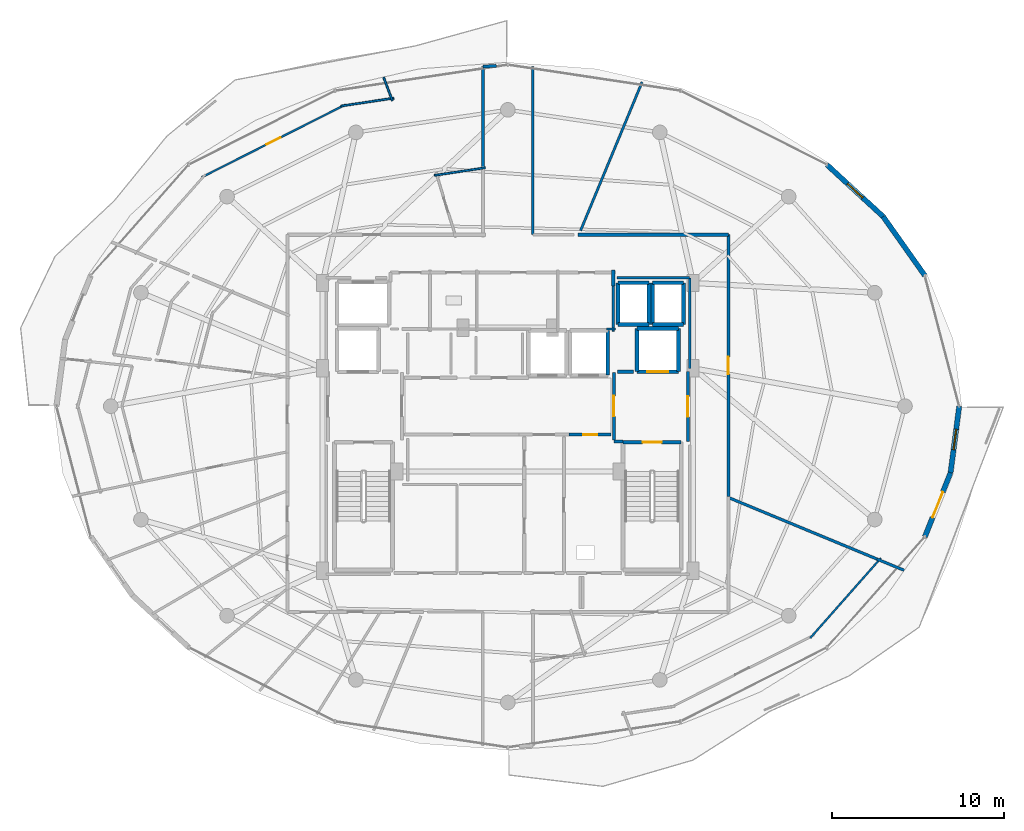
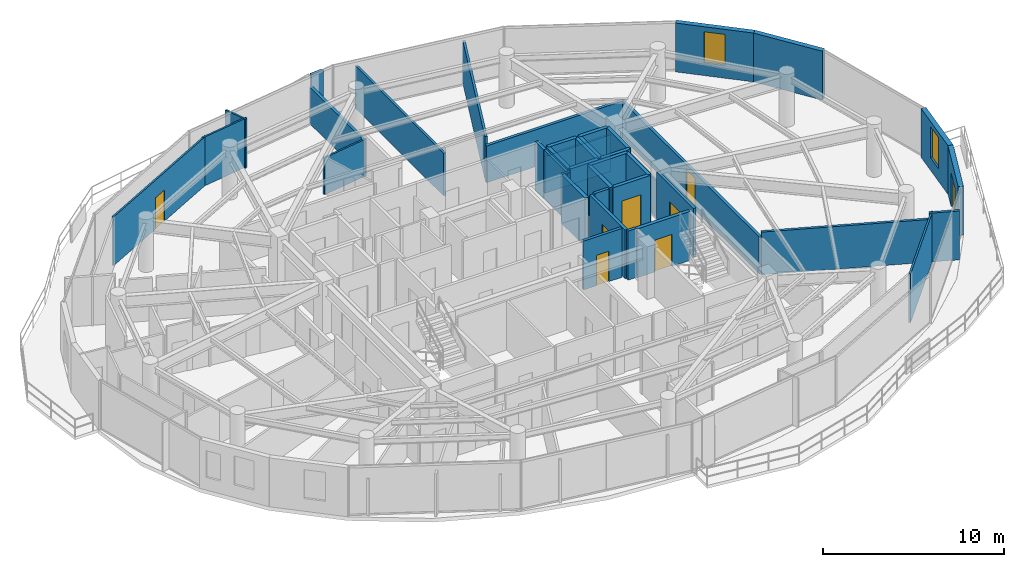
# One storey, part 25 of 30: 41 walls, 8 doors, 2 windows, 10 openings.
"""IFC4 building model written with IfcOpenShell, lengths in metres."""

from ifc_helpers import new_model, si_unit, direction, frame, frame_2d, origin, place, context, subcontext, project, spatial, rectangle, extrude, material, layer, layer_set, type_object, element, fill, save


model = new_model("IFC4")

# Units and contexts
model_context = context("Model", 3, precision=1e-05, world=origin(), true_north=direction((0.0, 1.0)))
body_context = subcontext(model_context, "Body", "Model", "MODEL_VIEW")
ifc_project = project(units=[si_unit("LENGTHUNIT", "METRE"), si_unit("AREAUNIT", "SQUARE_METRE"), si_unit("VOLUMEUNIT", "CUBIC_METRE"), si_unit("PLANEANGLEUNIT", "RADIAN"), si_unit("MASSUNIT", "GRAM", prefix="KILO")], contexts=[model_context])

# Site, building, storey
site_placement = place(None, origin())
site = spatial("IfcSite", under=ifc_project, at=site_placement, CompositionType="ELEMENT")
building_placement = place(site_placement, origin())
building = spatial("IfcBuilding", under=site, at=building_placement, Name="Vorneva Point Tower", CompositionType="ELEMENT")
storey_placement = place(building_placement, frame((0.0, 0.0, 234.25)))
storey = spatial("IfcBuildingStorey", under=building, at=storey_placement, Name="L63", CompositionType="ELEMENT", Elevation=234.25)

# Wall, opening, door
ifc_material_1 = material(Name="Concrete B60 (C50/60)", Category="concrete")
ifc_layer_1 = layer(ifc_material_1, 0.35009765625)
ifc_layer_set_1 = layer_set([ifc_layer_1], Name="Concrete B60 (C50/60)")
wall_type_1 = type_object("IfcWallType", Name="WL-CORE-350", PredefinedType="SHEAR", material=ifc_layer_set_1)
wall_1_placement = place(storey_placement, frame((45.5, 28.0, 0.0), z_axis=(0.0, 0.0, 1.0), x_axis=(1.0, 0.0, 0.0)))
wall_1 = element("IfcWall", 1, at=wall_1_placement, inside=storey, type_object=wall_type_1, Name="L63 Lift FFL2 Shaft Wall -Y", PredefinedType="SHEAR", context=body_context, shape_type="SweptSolid", body=[
    extrude(rectangle(XDim=2.39990234375, YDim=0.219970703125, at=frame_2d((1.199951171875, 0.0))), origin(), (0.0, 0.0, 1.0), 3.2900390625),
])
opening_1_placement = place(wall_1_placement, frame((0.60009765625, 0.0, 0.0)))
opening_1 = element("IfcOpeningElement", 2, at=opening_1_placement, cuts=wall_1, Name="Opening LD-02", PredefinedType="OPENING", context=body_context, shape_type="SweptSolid", body=[
    extrude(rectangle(XDim=1.199951171875, YDim=2.199951171875, at=frame_2d((0.60009765625, 1.10009765625))), frame((0.0, 0.125, 0.0), z_axis=(0.0, -1.0, 0.0), x_axis=(1.0, 0.0, 0.0)), (0.0, 0.0, 1.0), 0.249755859375),
])
ifc_material_2 = material(Name="Brushed stainless steel S304", Category="steel")
door_type_1 = type_object("IfcDoorType", Name="LD-FIRE-1200", OperationType="SLIDING_TO_LEFT", PredefinedType="DOOR", material=ifc_material_2)
door_1_placement = place(opening_1_placement, origin())
door_1 = element("IfcDoor", 3, at=door_1_placement, inside=storey, type_object=door_type_1, Name="L63 Lift FFL2 Sliding Landing Door", OperationType="SLIDING_TO_LEFT", OverallHeight=2.199951171875, OverallWidth=1.199951171875, PredefinedType="DOOR", context=body_context, shape_type="SweptSolid", body=[
    extrude(rectangle(XDim=1.199951171875, YDim=2.199951171875, at=frame_2d((0.60009765625, 1.10009765625))), frame((0.0, 0.02490234375, 0.0), z_axis=(0.0, -1.0, 0.0), x_axis=(1.0, 0.0, 0.0)), (0.0, 0.0, 1.0), 0.050048828125),
])
fill(opening_1, door_1)

# Walls
wall_2_placement = place(storey_placement, frame((47.89990234375, 28.0, 0.0), z_axis=(0.0, 0.0, 1.0), x_axis=(0.0, 1.0, 0.0)))
element("IfcWall", 4, at=wall_2_placement, inside=storey, type_object=wall_type_1, Name="L63 Lift FFL2 Shaft Wall +X", PredefinedType="SHEAR", context=body_context, shape_type="SweptSolid", body=[
    extrude(rectangle(XDim=2.5, YDim=0.219970703125, at=frame_2d((1.25, 0.0))), origin(), (0.0, 0.0, 1.0), 3.2900390625),
])
wall_3_placement = place(storey_placement, frame((47.89990234375, 30.5, 0.0), z_axis=(0.0, 0.0, 1.0), x_axis=(-1.0, 0.0, 0.0)))
element("IfcWall", 5, at=wall_3_placement, inside=storey, type_object=wall_type_1, Name="L63 Lift FFL2 Shaft Wall +Y", PredefinedType="SHEAR", context=body_context, shape_type="SweptSolid", body=[
    extrude(rectangle(XDim=2.39990234375, YDim=0.219970703125, at=frame_2d((1.199951171875, 0.0))), origin(), (0.0, 0.0, 1.0), 3.2900390625),
])
wall_4_placement = place(storey_placement, frame((45.5, 30.5, 0.0), z_axis=(0.0, 0.0, 1.0), x_axis=(0.0, -1.0, 0.0)))
element("IfcWall", 6, at=wall_4_placement, inside=storey, type_object=wall_type_1, Name="L63 Lift FFL2 Shaft Wall -X", PredefinedType="SHEAR", context=body_context, shape_type="SweptSolid", body=[
    extrude(rectangle(XDim=2.5, YDim=0.219970703125, at=frame_2d((1.25, 0.0))), origin(), (0.0, 0.0, 1.0), 3.2900390625),
])
ifc_material_3 = material(Name="Precast concrete B50 (C40/50)", Category="concrete")
ifc_layer_2 = layer(ifc_material_3, 0.300048828125)
ifc_layer_set_2 = layer_set([ifc_layer_2], Name="Precast concrete B50 (C40/50)")
wall_type_2 = type_object("IfcWallType", Name="WL-EXT-300", PredefinedType="STANDARD", material=ifc_layer_set_2)
wall_5_placement = place(storey_placement, frame((62.20556640625, 33.5810546875, 0.0), z_axis=(0.0, 0.0, 1.0), x_axis=(-0.577261247247, 0.816559521668, 0.0)))
element("IfcWall", 7, at=wall_5_placement, inside=storey, type_object=wall_type_2, Name="L63 Pale-Metal Facade Spandrel Wall 02.1", PredefinedType="STANDARD", context=body_context, shape_type="SweptSolid", body=[
    extrude(rectangle(XDim=4.194091796875, YDim=0.300048828125, at=frame_2d((2.09716796875, 0.0))), origin(), (0.0, 0.0, 1.0), 3.2900390625),
])

# Wall, opening, window
wall_6_placement = place(storey_placement, frame((59.784423828125, 37.005859375, 0.0), z_axis=(0.0, 0.0, 1.0), x_axis=(-0.735445373611, 0.677584018727, 0.0)))
wall_6 = element("IfcWall", 8, at=wall_6_placement, inside=storey, type_object=wall_type_2, Name="L63 Pale-Metal Facade Spandrel Wall 02.2", PredefinedType="STANDARD", context=body_context, shape_type="SweptSolid", body=[
    extrude(rectangle(XDim=4.430419921875, YDim=0.300048828125, at=frame_2d((2.21533203125, 0.0))), origin(), (0.0, 0.0, 1.0), 3.2900390625),
])
opening_2_placement = place(wall_6_placement, frame((1.615234375, 0.0, 0.85009765625)))
opening_2 = element("IfcOpeningElement", 9, at=opening_2_placement, cuts=wall_6, Name="Opening W-04", PredefinedType="OPENING", context=body_context, shape_type="SweptSolid", body=[
    extrude(rectangle(XDim=1.199951171875, YDim=2.10009765625, at=frame_2d((0.60009765625, 1.050048828125))), frame((0.0, 0.1650390625, 0.0), z_axis=(0.0, -1.0, 0.0), x_axis=(1.0, 0.0, 0.0)), (0.0, 0.0, 1.0), 0.329833984375),
])
ifc_material_4 = material(Name="Double low-e laminated glass IGU", Category="glass")
window_type = type_object("IfcWindowType", Name="WN-RES-1200", PartitioningType="SINGLE_PANEL", PredefinedType="WINDOW", material=ifc_material_4)
window_1_placement = place(opening_2_placement, origin())
window_1 = element("IfcWindow", 10, at=window_1_placement, inside=storey, type_object=window_type, Name="L63 Facade Window 02", OverallHeight=2.10009765625, OverallWidth=1.199951171875, PartitioningType="SINGLE_PANEL", PredefinedType="WINDOW", context=body_context, shape_type="SweptSolid", body=[
    extrude(rectangle(XDim=1.199951171875, YDim=2.10009765625, at=frame_2d((0.60009765625, 1.050048828125))), frame((0.0, 0.030029296875, 0.0), z_axis=(0.0, -1.0, 0.0), x_axis=(1.0, 0.0, 0.0)), (0.0, 0.0, 1.0), 0.06005859375),
])
fill(opening_2, window_1)

# Wall, opening, door
wall_7_placement = place(storey_placement, frame((62.20556640625, 18.4189453125, 0.0), z_axis=(0.0, 0.0, 1.0), x_axis=(0.37234708598, 0.928093555393, 0.0)))
wall_7 = element("IfcWall", 11, at=wall_7_placement, inside=storey, type_object=wall_type_2, Name="L63 Pale-Metal Facade Spandrel Wall 16.1", PredefinedType="STANDARD", context=body_context, shape_type="SweptSolid", body=[
    extrude(rectangle(XDim=4.004150390625, YDim=0.300048828125, at=frame_2d((2.001953125, 0.0))), origin(), (0.0, 0.0, 1.0), 3.2900390625),
])
opening_3_placement = place(wall_7_placement, frame((1.2021484375, 0.0, 0.0)))
opening_3 = element("IfcOpeningElement", 12, at=opening_3_placement, cuts=wall_7, Name="Opening BD-01", PredefinedType="OPENING", context=body_context, shape_type="SweptSolid", body=[
    extrude(rectangle(XDim=1.60009765625, YDim=2.300048828125, at=frame_2d((0.800048828125, 1.14990234375))), frame((0.0, 0.1650390625, 0.0), z_axis=(0.0, -1.0, 0.0), x_axis=(1.0, 0.0, 0.0)), (0.0, 0.0, 1.0), 0.329833984375),
])
ifc_material_5 = material(Name="Pale anodised aluminium", Category="aluminium")
door_type_2 = type_object("IfcDoorType", Name="DR-BAL-1600", OperationType="SLIDING_TO_LEFT", PredefinedType="DOOR", material=ifc_material_5)
door_2_placement = place(opening_3_placement, origin())
door_2 = element("IfcDoor", 13, at=door_2_placement, inside=storey, type_object=door_type_2, Name="L63 Balcony Terrace Access Door 16", OperationType="SLIDING_TO_LEFT", OverallHeight=2.300048828125, OverallWidth=1.60009765625, PredefinedType="DOOR", context=body_context, shape_type="SweptSolid", body=[
    extrude(rectangle(XDim=1.60009765625, YDim=2.300048828125, at=frame_2d((0.800048828125, 1.14990234375))), frame((0.0, 0.02490234375, 0.0), z_axis=(0.0, -1.0, 0.0), x_axis=(1.0, 0.0, 0.0)), (0.0, 0.0, 1.0), 0.050048828125),
])
fill(opening_3, door_2)

# Wall, opening, window
wall_8_placement = place(storey_placement, frame((63.696533203125, 22.13525390625, 0.0), z_axis=(0.0, 0.0, 1.0), x_axis=(0.129167789917, 0.991622751881, 0.0)))
wall_8 = element("IfcWall", 14, at=wall_8_placement, inside=storey, type_object=wall_type_2, Name="L63 Pale-Metal Facade Spandrel Wall 16.2", PredefinedType="STANDARD", context=body_context, shape_type="SweptSolid", body=[
    extrude(rectangle(XDim=3.8974609375, YDim=0.300048828125, at=frame_2d((1.94873046875, 0.0))), origin(), (0.0, 0.0, 1.0), 3.2900390625),
])
opening_4_placement = place(wall_8_placement, frame((1.3486328125, 0.0, 0.85009765625)))
opening_4 = element("IfcOpeningElement", 15, at=opening_4_placement, cuts=wall_8, Name="Opening W-04", PredefinedType="OPENING", context=body_context, shape_type="SweptSolid", body=[
    extrude(rectangle(XDim=1.199951171875, YDim=2.10009765625, at=frame_2d((0.60009765625, 1.050048828125))), frame((0.0, 0.1650390625, 0.0), z_axis=(0.0, -1.0, 0.0), x_axis=(1.0, 0.0, 0.0)), (0.0, 0.0, 1.0), 0.329833984375),
])
window_2_placement = place(opening_4_placement, origin())
window_2 = element("IfcWindow", 16, at=window_2_placement, inside=storey, type_object=window_type, Name="L63 Facade Window 16", OverallHeight=2.10009765625, OverallWidth=1.199951171875, PartitioningType="SINGLE_PANEL", PredefinedType="WINDOW", context=body_context, shape_type="SweptSolid", body=[
    extrude(rectangle(XDim=1.199951171875, YDim=2.10009765625, at=frame_2d((0.60009765625, 1.050048828125))), frame((0.0, 0.030029296875, 0.0), z_axis=(0.0, -1.0, 0.0), x_axis=(1.0, 0.0, 0.0)), (0.0, 0.0, 1.0), 0.06005859375),
])
fill(opening_4, window_2)

# Walls
ifc_material_6 = material(Name="Fire-rated acoustic gypsum stud partition", Category="gypsum")
ifc_layer_3 = layer(ifc_material_6, 0.110107421875)
ifc_layer_set_3 = layer_set([ifc_layer_3], Name="Fire-rated acoustic gypsum stud partition")
wall_type_3 = type_object("IfcWallType", Name="WL-PART-110", PredefinedType="PARTITIONING", material=ifc_layer_set_3)
wall_9_placement = place(storey_placement, frame((33.734619140625, 39.394287109375, 0.0), z_axis=(0.0, 0.0, 1.0), x_axis=(0.988862493006, 0.148832019156, 0.0)))
element("IfcWall", 17, at=wall_9_placement, inside=storey, type_object=wall_type_3, Name="L63 Interior Partition 057", PredefinedType="PARTITIONING", context=body_context, shape_type="SweptSolid", body=[
    extrude(rectangle(XDim=2.987060546875, YDim=0.110107421875, at=frame_2d((1.49365234375, 0.0))), origin(), (0.0, 0.0, 1.0), 2.48193359375),
])
wall_10_placement = place(storey_placement, frame((31.389404296875, 43.8818359375, 0.0), z_axis=(0.0, 0.0, 1.0), x_axis=(-0.988858596585, -0.148857905265, 0.0)))
element("IfcWall", 18, at=wall_10_placement, inside=storey, type_object=wall_type_3, Name="L63 Interior Partition 058", PredefinedType="PARTITIONING", context=body_context, shape_type="SweptSolid", body=[
    extrude(rectangle(XDim=3.114501953125, YDim=0.110107421875, at=frame_2d((1.55712890625, 0.0))), origin(), (0.0, 0.0, 1.0), 3.2900390625),
])

# Wall, opening, door
wall_11_placement = place(storey_placement, frame((28.572998046875, 43.502197265625, 0.0), z_axis=(0.0, 0.0, 1.0), x_axis=(-0.892502876412, -0.451041700507, 0.0)))
wall_11 = element("IfcWall", 19, at=wall_11_placement, inside=storey, type_object=wall_type_3, Name="L63 Interior Partition 059", PredefinedType="PARTITIONING", context=body_context, shape_type="SweptSolid", body=[
    extrude(rectangle(XDim=9.352294921875, YDim=0.110107421875, at=frame_2d((4.67626953125, 0.0))), origin(), (0.0, 0.0, 1.0), 3.2900390625),
])
opening_5_placement = place(wall_11_placement, frame((4.226318359375, 0.0, 0.0)))
opening_5 = element("IfcOpeningElement", 20, at=opening_5_placement, cuts=wall_11, Name="Opening ID-01", PredefinedType="OPENING", context=body_context, shape_type="SweptSolid", body=[
    extrude(rectangle(XDim=0.89990234375, YDim=2.10009765625, at=frame_2d((0.449951171875, 1.050048828125))), frame((0.0, 0.06982421875, 0.0), z_axis=(0.0, -1.0, 0.0), x_axis=(1.0, 0.0, 0.0)), (0.0, 0.0, 1.0), 0.139892578125),
])
ifc_material_7 = material(Name="Engineered oak fire-rated door leaf", Category="wood")
door_type_3 = type_object("IfcDoorType", Name="DR-ROOM-900", OperationType="NOTDEFINED", PredefinedType="DOOR", material=ifc_material_7)
door_3_placement = place(opening_5_placement, origin())
door_3 = element("IfcDoor", 21, at=door_3_placement, inside=storey, type_object=door_type_3, Name="L63 Door Studio Apartment L63-01 / Kitchen L63-01", OperationType="SINGLE_SWING_RIGHT", OverallHeight=2.10009765625, OverallWidth=0.89990234375, PredefinedType="DOOR", context=body_context, shape_type="SweptSolid", body=[
    extrude(rectangle(XDim=0.89990234375, YDim=2.10009765625, at=frame_2d((0.449951171875, 1.050048828125))), frame((0.0, 0.02490234375, 0.0), z_axis=(0.0, -1.0, 0.0), x_axis=(1.0, 0.0, 0.0)), (0.0, 0.0, 1.0), 0.050048828125),
])
fill(opening_5, door_3)

# Walls
wall_12_placement = place(storey_placement, frame((30.78662109375, 45.0888671875, 0.0), z_axis=(0.0, 0.0, 1.0), x_axis=(0.353737146492, -0.935344872863, 0.0)))
element("IfcWall", 22, at=wall_12_placement, inside=storey, type_object=wall_type_3, Name="L63 Interior Partition 061", PredefinedType="PARTITIONING", context=body_context, shape_type="SweptSolid", body=[
    extrude(rectangle(XDim=1.452880859375, YDim=0.110107421875, at=frame_2d((0.7265625, 0.0))), origin(), (0.0, 0.0, 1.0), 3.2900390625),
])
wall_13_placement = place(storey_placement, frame((55.556396484375, 12.548095703125, 0.0), z_axis=(0.0, 0.0, 1.0), x_axis=(0.662167862663, 0.749355537549, 0.0)))
element("IfcWall", 23, at=wall_13_placement, inside=storey, type_object=wall_type_3, Name="L63 Interior Partition 089", PredefinedType="PARTITIONING", context=body_context, shape_type="SweptSolid", body=[
    extrude(rectangle(XDim=6.17724609375, YDim=0.110107421875, at=frame_2d((3.088623046875, 0.0))), origin(), (0.0, 0.0, 1.0), 3.2900390625),
])
ifc_layer_4 = layer(ifc_material_6, 0.139892578125)
ifc_layer_set_4 = layer_set([ifc_layer_4], Name="Fire-rated acoustic gypsum stud partition")
wall_type_4 = type_object("IfcWallType", Name="WL-PART-140", PredefinedType="PARTITIONING", material=ifc_layer_set_4)
wall_14_placement = place(storey_placement, frame((43.735107421875, 30.47998046875, 0.0), z_axis=(0.0, 0.0, 1.0), x_axis=(1.0, 0.0, 0.0)))
element("IfcWall", 24, at=wall_14_placement, inside=storey, type_object=wall_type_4, Name="L63 Interior Closure Partition 097", PredefinedType="PARTITIONING", context=body_context, shape_type="SweptSolid", body=[
    extrude(rectangle(XDim=0.52490234375, YDim=0.139892578125, at=frame_2d((0.262451171875, 0.0))), origin(), (0.0, 0.0, 1.0), 3.2900390625),
])
wall_15_placement = place(storey_placement, frame((44.1201171875, 30.340087890625, 0.0), z_axis=(0.0, 0.0, 1.0), x_axis=(0.0, 1.0, 0.0)))
element("IfcWall", 25, at=wall_15_placement, inside=storey, type_object=wall_type_4, Name="L63 Interior Closure Partition 098", PredefinedType="PARTITIONING", context=body_context, shape_type="SweptSolid", body=[
    extrude(rectangle(XDim=2.659912109375, YDim=0.139892578125, at=frame_2d((1.330078125, 0.0))), origin(), (0.0, 0.0, 1.0), 3.2900390625),
])
wall_16_placement = place(storey_placement, frame((39.449951171875, 35.949951171875, 0.0), z_axis=(0.0, 0.0, 1.0), x_axis=(0.0, 1.0, 0.0)))
element("IfcWall", 26, at=wall_16_placement, inside=storey, type_object=wall_type_4, Name="L63 Interior Closure Partition 107", PredefinedType="PARTITIONING", context=body_context, shape_type="SweptSolid", body=[
    extrude(rectangle(XDim=9.7509765625, YDim=0.139892578125, at=frame_2d((4.87548828125, 0.0))), origin(), (0.0, 0.0, 1.0), 2.8740234375),
])
wall_17_placement = place(storey_placement, frame((48.550048828125, 28.196044921875, 0.0), z_axis=(0.0, 0.0, 1.0), x_axis=(0.0, 1.0, 0.0)))
element("IfcWall", 27, at=wall_17_placement, inside=storey, type_object=wall_type_4, Name="L63 Interior Closure Partition 111", PredefinedType="PARTITIONING", context=body_context, shape_type="SweptSolid", body=[
    extrude(rectangle(XDim=5.25390625, YDim=0.139892578125, at=frame_2d((2.626953125, 0.0))), origin(), (0.0, 0.0, 1.0), 2.48193359375),
])
wall_18_placement = place(storey_placement, frame((48.550048828125, 33.449951171875, 0.0), z_axis=(0.0, 0.0, 1.0), x_axis=(-1.0, 0.0, 0.0)))
element("IfcWall", 28, at=wall_18_placement, inside=storey, type_object=wall_type_4, Name="L63 Interior Closure Partition 112", PredefinedType="PARTITIONING", context=body_context, shape_type="SweptSolid", body=[
    extrude(rectangle(XDim=4.2099609375, YDim=0.139892578125, at=frame_2d((2.10498046875, 0.0))), origin(), (0.0, 0.0, 1.0), 2.48193359375),
])
wall_19_placement = place(storey_placement, frame((45.79296875, 44.81298828125, 0.0), z_axis=(0.0, 0.0, 1.0), x_axis=(-0.382742241568, -0.923855170749, 0.0)))
element("IfcWall", 29, at=wall_19_placement, inside=storey, type_object=wall_type_4, Name="L63 Interior Closure Partition 126", PredefinedType="PARTITIONING", context=body_context, shape_type="SweptSolid", body=[
    extrude(rectangle(XDim=9.332763671875, YDim=0.139892578125, at=frame_2d((4.66650390625, 0.0))), origin(), (0.0, 0.0, 1.0), 2.8740234375),
])
ifc_layer_5 = layer(ifc_material_6, 0.159912109375)
ifc_layer_set_5 = layer_set([ifc_layer_5], Name="Fire-rated acoustic gypsum stud partition")
wall_type_5 = type_object("IfcWallType", Name="WL-PART-160", PredefinedType="PARTITIONING", material=ifc_layer_set_5)
wall_20_placement = place(storey_placement, frame((59.553955078125, 17.072021484375, 0.0), z_axis=(0.0, 0.0, 1.0), x_axis=(-0.923879910499, 0.382682519822, 0.0)))
element("IfcWall", 30, at=wall_20_placement, inside=storey, type_object=wall_type_5, Name="L63 Interior Partition 091", PredefinedType="PARTITIONING", context=body_context, shape_type="SweptSolid", body=[
    extrude(rectangle(XDim=9.47509765625, YDim=0.159912109375, at=frame_2d((4.737548828125, 0.0))), origin(), (0.0, 0.0, 1.0), 2.8740234375),
])
wall_21_placement = place(storey_placement, frame((60.996337890625, 16.474365234375, 0.0), z_axis=(0.0, 0.0, 1.0), x_axis=(-0.923843638485, 0.382770076719, 0.0)))
element("IfcWall", 31, at=wall_21_placement, inside=storey, type_object=wall_type_5, Name="L63 Interior Partition 092", PredefinedType="PARTITIONING", context=body_context, shape_type="SweptSolid", body=[
    extrude(rectangle(XDim=1.701171875, YDim=0.159912109375, at=frame_2d((0.8505859375, 0.0))), origin(), (0.0, 0.0, 1.0), 3.2900390625),
])

# Wall, opening, door
ifc_material_8 = material(Name="Autoclaved aerated concrete blockwork", Category="masonry")
ifc_layer_6 = layer(ifc_material_8, 0.179931640625)
ifc_layer_set_6 = layer_set([ifc_layer_6], Name="Autoclaved aerated concrete blockwork")
wall_type_6 = type_object("IfcWallType", Name="WL-PART-180", PredefinedType="PARTITIONING", material=ifc_layer_set_6)
wall_22_placement = place(storey_placement, frame((44.14990234375, 27.955078125, 0.0), z_axis=(0.0, 0.0, 1.0), x_axis=(0.0, -1.0, 0.0)))
wall_22 = element("IfcWall", 32, at=wall_22_placement, inside=storey, type_object=wall_type_6, Name="L63 Interior Partition 003", PredefinedType="PARTITIONING", context=body_context, shape_type="SweptSolid", body=[
    extrude(rectangle(XDim=3.91015625, YDim=0.179931640625, at=frame_2d((1.955078125, 0.0))), origin(), (0.0, 0.0, 1.0), 3.2900390625),
])
opening_6_placement = place(wall_22_placement, frame((1.35498046875, 0.0, 0.0)))
opening_6 = element("IfcOpeningElement", 33, at=opening_6_placement, cuts=wall_22, Name="Opening FD-02", PredefinedType="OPENING", context=body_context, shape_type="SweptSolid", body=[
    extrude(rectangle(XDim=1.199951171875, YDim=2.14990234375, at=frame_2d((0.60009765625, 1.074951171875))), frame((0.0, 0.10498046875, 0.0), z_axis=(0.0, -1.0, 0.0), x_axis=(1.0, 0.0, 0.0)), (0.0, 0.0, 1.0), 0.209716796875),
])
ifc_material_9 = material(Name="Fire-rated powder-coated steel", Category="steel")
door_type_4 = type_object("IfcDoorType", Name="DR-FFL-1200", OperationType="NOTDEFINED", PredefinedType="DOOR", material=ifc_material_9)
door_4_placement = place(opening_6_placement, origin())
door_4 = element("IfcDoor", 34, at=door_4_placement, inside=storey, type_object=door_type_4, Name="L63 Door East Firefighting Lobby / Central Lift Lobby", OperationType="SINGLE_SWING_LEFT", OverallHeight=2.14990234375, OverallWidth=1.199951171875, PredefinedType="DOOR", context=body_context, shape_type="SweptSolid", body=[
    extrude(rectangle(XDim=1.199951171875, YDim=2.14990234375, at=frame_2d((0.60009765625, 1.074951171875))), frame((0.0, 0.02490234375, 0.0), z_axis=(0.0, -1.0, 0.0), x_axis=(1.0, 0.0, 0.0)), (0.0, 0.0, 1.0), 0.050048828125),
])
fill(opening_6, door_4)

# Wall
wall_23_placement = place(storey_placement, frame((44.14990234375, 23.949951171875, 0.0), z_axis=(0.0, 0.0, 1.0), x_axis=(1.0, 0.0, 0.0)))
element("IfcWall", 35, at=wall_23_placement, inside=storey, type_object=wall_type_6, Name="L63 Interior Partition 004", PredefinedType="PARTITIONING", context=body_context, shape_type="SweptSolid", body=[
    extrude(rectangle(XDim=0.5400390625, YDim=0.179931640625, at=frame_2d((0.27001953125, 0.0))), origin(), (0.0, 0.0, 1.0), 3.2900390625),
])

# Wall, opening, door
wall_24_placement = place(storey_placement, frame((48.449951171875, 23.949951171875, 0.0), z_axis=(0.0, 0.0, 1.0), x_axis=(0.0, 1.0, 0.0)))
wall_24 = element("IfcWall", 36, at=wall_24_placement, inside=storey, type_object=wall_type_6, Name="L63 Interior Partition 005", PredefinedType="PARTITIONING", context=body_context, shape_type="SweptSolid", body=[
    extrude(rectangle(XDim=4.050048828125, YDim=0.179931640625, at=frame_2d((2.02490234375, 0.0))), origin(), (0.0, 0.0, 1.0), 3.2900390625),
])
opening_7_placement = place(wall_24_placement, frame((1.425048828125, 0.0, 0.0)))
opening_7 = element("IfcOpeningElement", 37, at=opening_7_placement, cuts=wall_24, Name="Opening FD-02", PredefinedType="OPENING", context=body_context, shape_type="SweptSolid", body=[
    extrude(rectangle(XDim=1.199951171875, YDim=2.14990234375, at=frame_2d((0.60009765625, 1.074951171875))), frame((0.0, 0.10498046875, 0.0), z_axis=(0.0, -1.0, 0.0), x_axis=(1.0, 0.0, 0.0)), (0.0, 0.0, 1.0), 0.209716796875),
])
door_5_placement = place(opening_7_placement, origin())
door_5 = element("IfcDoor", 38, at=door_5_placement, inside=storey, type_object=door_type_4, Name="L63 Door East Firefighting Lobby / L63 Circulation Corridor", OperationType="SINGLE_SWING_LEFT", OverallHeight=2.14990234375, OverallWidth=1.199951171875, PredefinedType="DOOR", context=body_context, shape_type="SweptSolid", body=[
    extrude(rectangle(XDim=1.199951171875, YDim=2.14990234375, at=frame_2d((0.60009765625, 1.074951171875))), frame((0.0, 0.02490234375, 0.0), z_axis=(0.0, -1.0, 0.0), x_axis=(1.0, 0.0, 0.0)), (0.0, 0.0, 1.0), 0.050048828125),
])
fill(opening_7, door_5)

wall_25_placement = place(storey_placement, frame((41.554931640625, 24.35009765625, 0.0), z_axis=(0.0, 0.0, 1.0), x_axis=(1.0, 0.0, 0.0)))
wall_25 = element("IfcWall", 39, at=wall_25_placement, inside=storey, type_object=wall_type_6, Name="L63 Interior Partition 011", PredefinedType="PARTITIONING", context=body_context, shape_type="SweptSolid", body=[
    extrude(rectangle(XDim=2.445068359375, YDim=0.179931640625, at=frame_2d((1.22265625, 0.0))), origin(), (0.0, 0.0, 1.0), 3.2900390625),
])
opening_8_placement = place(wall_25_placement, frame((0.822509765625, 0.0, 0.0)))
opening_8 = element("IfcOpeningElement", 40, at=opening_8_placement, cuts=wall_25, Name="Opening RD-01", PredefinedType="OPENING", context=body_context, shape_type="SweptSolid", body=[
    extrude(rectangle(XDim=0.800048828125, YDim=2.050048828125, at=frame_2d((0.39990234375, 1.02490234375))), frame((0.0, 0.10498046875, 0.0), z_axis=(0.0, -1.0, 0.0), x_axis=(1.0, 0.0, 0.0)), (0.0, 0.0, 1.0), 0.209716796875),
])
door_type_5 = type_object("IfcDoorType", Name="DR-RSR-800", OperationType="SINGLE_SWING_LEFT", PredefinedType="DOOR", material=ifc_material_9)
door_6_placement = place(opening_8_placement, origin())
door_6 = element("IfcDoor", 41, at=door_6_placement, inside=storey, type_object=door_type_5, Name="L63 Door Central Lift Lobby / Electrical Riser", OperationType="SINGLE_SWING_LEFT", OverallHeight=2.050048828125, OverallWidth=0.800048828125, PredefinedType="DOOR", context=body_context, shape_type="SweptSolid", body=[
    extrude(rectangle(XDim=0.800048828125, YDim=2.050048828125, at=frame_2d((0.39990234375, 1.02490234375))), frame((0.0, 0.02490234375, 0.0), z_axis=(0.0, -1.0, 0.0), x_axis=(1.0, 0.0, 0.0)), (0.0, 0.0, 1.0), 0.050048828125),
])
fill(opening_8, door_6)

# Walls
wall_26_placement = place(storey_placement, frame((44.1201171875, 32.969970703125, 0.0), z_axis=(0.0, 0.0, 1.0), x_axis=(0.0, 1.0, 0.0)))
element("IfcWall", 42, at=wall_26_placement, inside=storey, type_object=wall_type_6, Name="L63 Interior Partition 027", PredefinedType="PARTITIONING", context=body_context, shape_type="SweptSolid", body=[
    extrude(rectangle(XDim=0.929931640625, YDim=0.179931640625, at=frame_2d((0.46484375, 0.0))), origin(), (0.0, 0.0, 1.0), 3.2900390625),
])
wall_27_placement = place(storey_placement, frame((37.3291015625, 45.760009765625, 0.0), z_axis=(0.0, 0.0, 1.0), x_axis=(-0.997136622012, -0.0756211415, 0.0)))
element("IfcWall", 43, at=wall_27_placement, inside=storey, type_object=wall_type_6, Name="L63 Interior Partition 033", PredefinedType="PARTITIONING", context=body_context, shape_type="SweptSolid", body=[
    extrude(rectangle(XDim=0.78125, YDim=0.179931640625, at=frame_2d((0.390625, 0.0))), origin(), (0.0, 0.0, 1.0), 3.2900390625),
])
wall_28_placement = place(storey_placement, frame((36.550048828125, 45.700927734375, 0.0), z_axis=(0.0, 0.0, 1.0), x_axis=(0.0, -1.0, 0.0)))
element("IfcWall", 44, at=wall_28_placement, inside=storey, type_object=wall_type_6, Name="L63 Interior Partition 034", PredefinedType="PARTITIONING", context=body_context, shape_type="SweptSolid", body=[
    extrude(rectangle(XDim=5.94384765625, YDim=0.179931640625, at=frame_2d((2.971923828125, 0.0))), origin(), (0.0, 0.0, 1.0), 2.48193359375),
])

# Wall, opening, door
wall_29_placement = place(storey_placement, frame((50.800048828125, 20.758056640625, 0.0), z_axis=(0.0, 0.0, 1.0), x_axis=(0.0, 1.0, 0.0)))
wall_29 = element("IfcWall", 45, at=wall_29_placement, inside=storey, type_object=wall_type_6, Name="L63 Interior Partition 054", PredefinedType="PARTITIONING", context=body_context, shape_type="SweptSolid", body=[
    extrude(rectangle(XDim=15.19189453125, YDim=0.179931640625, at=frame_2d((7.595947265625, 0.0))), origin(), (0.0, 0.0, 1.0), 2.48193359375),
])
opening_9_placement = place(wall_29_placement, frame((7.095947265625, 0.0, 0.0)))
opening_9 = element("IfcOpeningElement", 46, at=opening_9_placement, cuts=wall_29, Name="Opening UD-01", PredefinedType="OPENING", context=body_context, shape_type="SweptSolid", body=[
    extrude(rectangle(XDim=1.0, YDim=2.14990234375, at=frame_2d((0.5, 1.074951171875))), frame((0.0, 0.10498046875, 0.0), z_axis=(0.0, -1.0, 0.0), x_axis=(1.0, 0.0, 0.0)), (0.0, 0.0, 1.0), 0.209716796875),
])
door_type_6 = type_object("IfcDoorType", Name="DR-UNIT-1000", OperationType="NOTDEFINED", PredefinedType="DOOR", material=ifc_material_7)
door_7_placement = place(opening_9_placement, origin())
door_7 = element("IfcDoor", 47, at=door_7_placement, inside=storey, type_object=door_type_6, Name="L63 Door L63 Circulation Corridor / Residents Sky Lounge L63-04", OperationType="SINGLE_SWING_RIGHT", OverallHeight=2.14990234375, OverallWidth=1.0, PredefinedType="DOOR", context=body_context, shape_type="SweptSolid", body=[
    extrude(rectangle(XDim=1.0, YDim=2.14990234375, at=frame_2d((0.5, 1.074951171875))), frame((0.0, 0.02490234375, 0.0), z_axis=(0.0, -1.0, 0.0), x_axis=(1.0, 0.0, 0.0)), (0.0, 0.0, 1.0), 0.050048828125),
])
fill(opening_9, door_7)

# Walls
wall_30_placement = place(storey_placement, frame((50.800048828125, 35.949951171875, 0.0), z_axis=(0.0, 0.0, 1.0), x_axis=(-1.0, 0.0, 0.0)))
element("IfcWall", 48, at=wall_30_placement, inside=storey, type_object=wall_type_6, Name="L63 Interior Partition 055", PredefinedType="PARTITIONING", context=body_context, shape_type="SweptSolid", body=[
    extrude(rectangle(XDim=8.739013671875, YDim=0.179931640625, at=frame_2d((4.36962890625, 0.0))), origin(), (0.0, 0.0, 1.0), 2.48193359375),
])
wall_31_placement = place(storey_placement, frame((45.280029296875, 28.0, 0.0), z_axis=(0.0, 0.0, 1.0), x_axis=(-1.0, 0.0, 0.0)))
element("IfcWall", 49, at=wall_31_placement, inside=storey, type_object=wall_type_6, Name="L63 Interior Closure Partition 094", PredefinedType="PARTITIONING", context=body_context, shape_type="SweptSolid", body=[
    extrude(rectangle(XDim=0.9150390625, YDim=0.179931640625, at=frame_2d((0.45751953125, 0.0))), origin(), (0.0, 0.0, 1.0), 3.2900390625),
])

# Wall, opening, door
ifc_material_10 = material(Name="Concrete B50 (C40/50)", Category="concrete")
ifc_layer_7 = layer(ifc_material_10, 0.219970703125)
ifc_layer_set_7 = layer_set([ifc_layer_7], Name="Concrete B50 (C40/50)")
wall_type_7 = type_object("IfcWallType", Name="WL-SHFT-220", PredefinedType="SOLIDWALL", material=ifc_layer_set_7)
wall_32_placement = place(storey_placement, frame((44.68994140625, 23.909912109375, 0.0), z_axis=(0.0, 0.0, 1.0), x_axis=(1.0, 0.0, 0.0)))
wall_32 = element("IfcWall", 50, at=wall_32_placement, inside=storey, type_object=wall_type_7, Name="L63 Exit Stair ST2 Shaft Wall near", PredefinedType="SOLIDWALL", context=body_context, shape_type="SweptSolid", body=[
    extrude(rectangle(XDim=3.3701171875, YDim=0.219970703125, at=frame_2d((1.68505859375, 0.0))), origin(), (0.0, 0.0, 1.0), 3.2900390625),
])
opening_10_placement = place(wall_32_placement, frame((1.135009765625, 0.0, 0.0)))
opening_10 = element("IfcOpeningElement", 51, at=opening_10_placement, cuts=wall_32, Name="Opening FD-01", PredefinedType="OPENING", context=body_context, shape_type="SweptSolid", body=[
    extrude(rectangle(XDim=1.10009765625, YDim=2.14990234375, at=frame_2d((0.550048828125, 1.074951171875))), frame((0.0, 0.125, 0.0), z_axis=(0.0, -1.0, 0.0), x_axis=(1.0, 0.0, 0.0)), (0.0, 0.0, 1.0), 0.249755859375),
])
door_type_7 = type_object("IfcDoorType", Name="DR-STAIR-1100", OperationType="NOTDEFINED", PredefinedType="DOOR", material=ifc_material_9)
door_8_placement = place(opening_10_placement, origin())
door_8 = element("IfcDoor", 52, at=door_8_placement, inside=storey, type_object=door_type_7, Name="L63 Exit Stair ST2 Fire Door", OperationType="SINGLE_SWING_RIGHT", OverallHeight=2.14990234375, OverallWidth=1.10009765625, PredefinedType="DOOR", context=body_context, shape_type="SweptSolid", body=[
    extrude(rectangle(XDim=1.10009765625, YDim=2.14990234375, at=frame_2d((0.550048828125, 1.074951171875))), frame((0.0, 0.02490234375, 0.0), z_axis=(0.0, -1.0, 0.0), x_axis=(1.0, 0.0, 0.0)), (0.0, 0.0, 1.0), 0.050048828125),
])
fill(opening_10, door_8)

# Walls
wall_33_placement = place(storey_placement, frame((43.800048828125, 27.800048828125, 0.0), z_axis=(0.0, 0.0, 1.0), x_axis=(0.0, 1.0, 0.0)))
element("IfcWall", 53, at=wall_33_placement, inside=storey, type_object=wall_type_7, Name="L63 Lift PL8 Shaft Wall +X", PredefinedType="SOLIDWALL", context=body_context, shape_type="SweptSolid", body=[
    extrude(rectangle(XDim=2.599853515625, YDim=0.219970703125, at=frame_2d((1.2998046875, 0.0))), origin(), (0.0, 0.0, 1.0), 3.2900390625),
])
wall_34_placement = place(storey_placement, frame((44.39990234375, 30.739990234375, 0.0), z_axis=(0.0, 0.0, 1.0), x_axis=(1.0, 0.0, 0.0)))
element("IfcWall", 54, at=wall_34_placement, inside=storey, type_object=wall_type_7, Name="L63 Lift EX1 Shaft Wall -Y", PredefinedType="SOLIDWALL", context=body_context, shape_type="SweptSolid", body=[
    extrude(rectangle(XDim=1.800048828125, YDim=0.219970703125, at=frame_2d((0.89990234375, 0.0))), origin(), (0.0, 0.0, 1.0), 3.2900390625),
])
wall_35_placement = place(storey_placement, frame((46.199951171875, 30.739990234375, 0.0), z_axis=(0.0, 0.0, 1.0), x_axis=(0.0, 1.0, 0.0)))
element("IfcWall", 55, at=wall_35_placement, inside=storey, type_object=wall_type_7, Name="L63 Lift EX1 Shaft Wall +X", PredefinedType="SOLIDWALL", context=body_context, shape_type="SweptSolid", body=[
    extrude(rectangle(XDim=2.419921875, YDim=0.219970703125, at=frame_2d((1.2099609375, 0.0))), origin(), (0.0, 0.0, 1.0), 3.2900390625),
])
wall_36_placement = place(storey_placement, frame((46.199951171875, 33.159912109375, 0.0), z_axis=(0.0, 0.0, 1.0), x_axis=(-1.0, 0.0, 0.0)))
element("IfcWall", 56, at=wall_36_placement, inside=storey, type_object=wall_type_7, Name="L63 Lift EX1 Shaft Wall +Y", PredefinedType="SOLIDWALL", context=body_context, shape_type="SweptSolid", body=[
    extrude(rectangle(XDim=1.800048828125, YDim=0.219970703125, at=frame_2d((0.89990234375, 0.0))), origin(), (0.0, 0.0, 1.0), 3.2900390625),
])
wall_37_placement = place(storey_placement, frame((44.39990234375, 33.159912109375, 0.0), z_axis=(0.0, 0.0, 1.0), x_axis=(0.0, -1.0, 0.0)))
element("IfcWall", 57, at=wall_37_placement, inside=storey, type_object=wall_type_7, Name="L63 Lift EX1 Shaft Wall -X", PredefinedType="SOLIDWALL", context=body_context, shape_type="SweptSolid", body=[
    extrude(rectangle(XDim=2.419921875, YDim=0.219970703125, at=frame_2d((1.2099609375, 0.0))), origin(), (0.0, 0.0, 1.0), 3.2900390625),
])
wall_38_placement = place(storey_placement, frame((46.39990234375, 30.739990234375, 0.0), z_axis=(0.0, 0.0, 1.0), x_axis=(1.0, 0.0, 0.0)))
element("IfcWall", 58, at=wall_38_placement, inside=storey, type_object=wall_type_7, Name="L63 Lift EX2 Shaft Wall -Y", PredefinedType="SOLIDWALL", context=body_context, shape_type="SweptSolid", body=[
    extrude(rectangle(XDim=1.800048828125, YDim=0.219970703125, at=frame_2d((0.89990234375, 0.0))), origin(), (0.0, 0.0, 1.0), 3.2900390625),
])
wall_39_placement = place(storey_placement, frame((48.199951171875, 30.739990234375, 0.0), z_axis=(0.0, 0.0, 1.0), x_axis=(0.0, 1.0, 0.0)))
element("IfcWall", 59, at=wall_39_placement, inside=storey, type_object=wall_type_7, Name="L63 Lift EX2 Shaft Wall +X", PredefinedType="SOLIDWALL", context=body_context, shape_type="SweptSolid", body=[
    extrude(rectangle(XDim=2.419921875, YDim=0.219970703125, at=frame_2d((1.2099609375, 0.0))), origin(), (0.0, 0.0, 1.0), 3.2900390625),
])
wall_40_placement = place(storey_placement, frame((48.199951171875, 33.159912109375, 0.0), z_axis=(0.0, 0.0, 1.0), x_axis=(-1.0, 0.0, 0.0)))
element("IfcWall", 60, at=wall_40_placement, inside=storey, type_object=wall_type_7, Name="L63 Lift EX2 Shaft Wall +Y", PredefinedType="SOLIDWALL", context=body_context, shape_type="SweptSolid", body=[
    extrude(rectangle(XDim=1.800048828125, YDim=0.219970703125, at=frame_2d((0.89990234375, 0.0))), origin(), (0.0, 0.0, 1.0), 3.2900390625),
])
wall_41_placement = place(storey_placement, frame((46.39990234375, 33.159912109375, 0.0), z_axis=(0.0, 0.0, 1.0), x_axis=(0.0, -1.0, 0.0)))
element("IfcWall", 61, at=wall_41_placement, inside=storey, type_object=wall_type_7, Name="L63 Lift EX2 Shaft Wall -X", PredefinedType="SOLIDWALL", context=body_context, shape_type="SweptSolid", body=[
    extrude(rectangle(XDim=2.419921875, YDim=0.219970703125, at=frame_2d((1.2099609375, 0.0))), origin(), (0.0, 0.0, 1.0), 3.2900390625),
])

save(model, "model.ifc")
